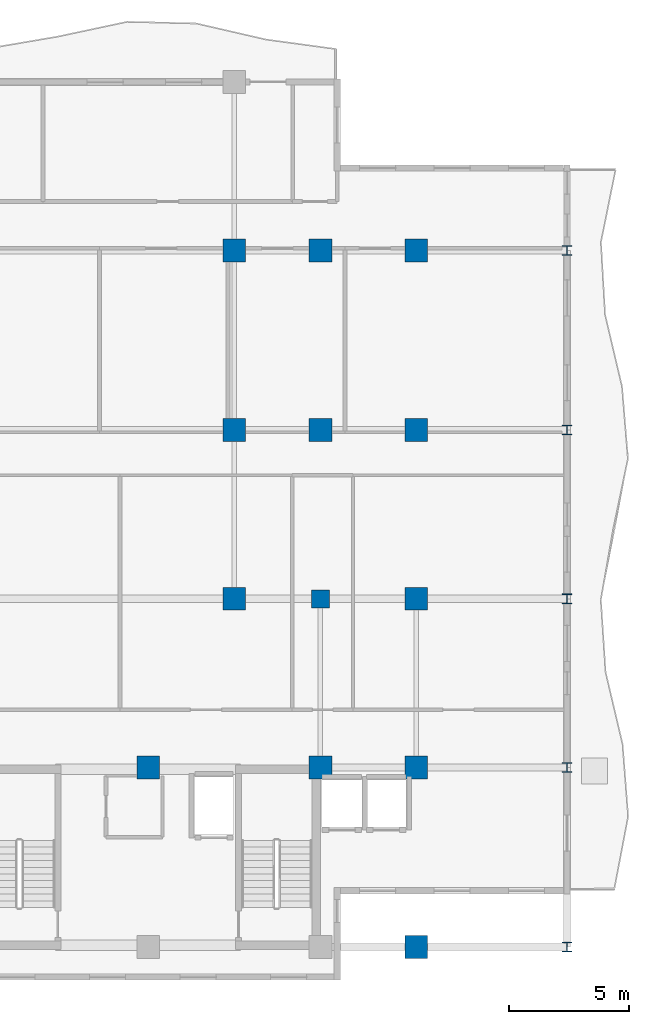
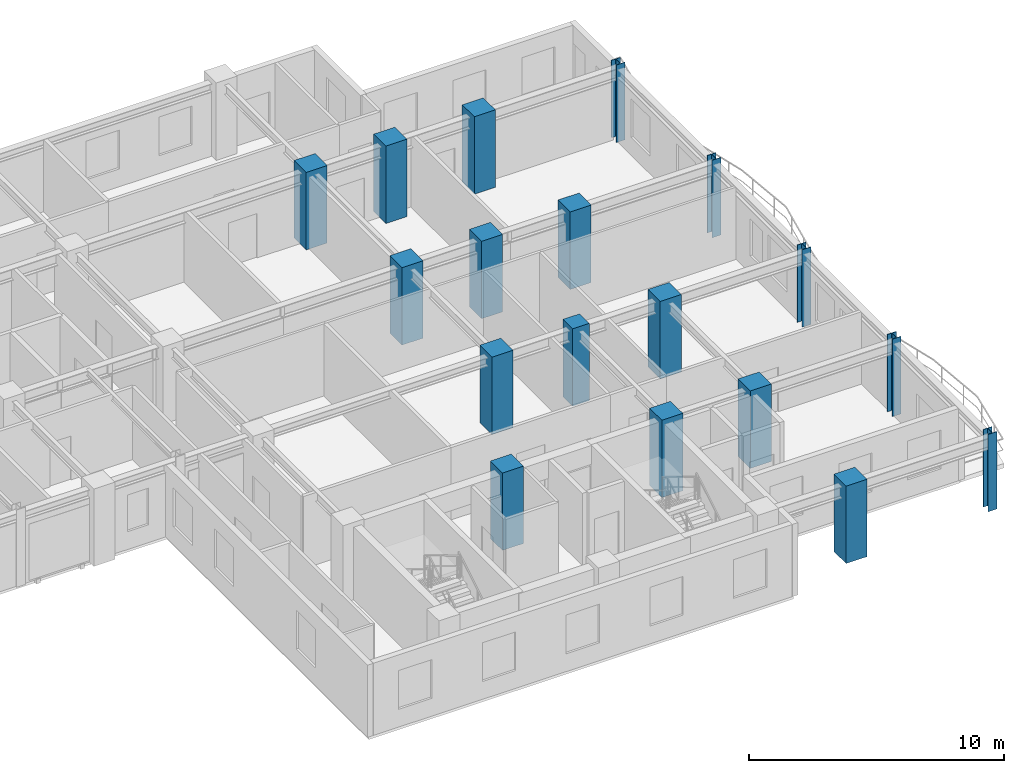
# One storey, part 2 of 14: 18 columns.
"""IFC4 building model written with IfcOpenShell, lengths in metres."""

import ifcopenshell
import ifcopenshell.guid

model = None  # the IFC model being written
_history = None  # IfcOwnerHistory: only IFC2X3 demands one
_inside = {}  # id of a spatial element -> (the spatial element, [elements in it])
_under = {}  # id of a project, library or spatial element -> (it, [spatial elements below it])
_declared = {}  # id of a project -> (the project, [libraries it declares])
_typed = {}  # id of a type object -> (the type object, [elements of that type])
_made_of = {}  # id of a material, layer set ... -> (it, [elements and type objects made of it])


def new_model(schema):
    """Start an empty IFC model of exactly this schema.

    Asked for "IFC4X3", IfcOpenShell would pick the latest addendum, in which some entities
    have other attributes; the version numbers below select the first issue.
    IFC2X3 requires an IfcOwnerHistory on every rooted entity: one is made here for all.
    """
    global model, _history
    if schema == "IFC4X3":
        model = ifcopenshell.file(schema_version=(4, 3, 0, 0))
    else:
        model = ifcopenshell.file(schema=schema)
    _inside.clear()
    _under.clear()
    _declared.clear()
    _typed.clear()
    _made_of.clear()
    _history = None
    if model.schema == "IFC2X3":
        org = make("IfcOrganization", Name="unknown")
        user = make(
            "IfcPersonAndOrganization",
            ThePerson=make("IfcPerson", FamilyName="unknown"),
            TheOrganization=org,
        )
        app = make(
            "IfcApplication",
            ApplicationDeveloper=org,
            Version="unknown",
            ApplicationFullName="unknown",
            ApplicationIdentifier="unknown",
        )
        _history = make(
            "IfcOwnerHistory",
            OwningUser=user,
            OwningApplication=app,
            ChangeAction="ADDED",
            CreationDate=0,
        )
    return model


def make(cls, **values):
    """One entity of the class cls with the attributes given. An attribute that is None is left unset."""
    return model.create_entity(
        cls, **{name: value for name, value in values.items() if value is not None}
    )


def rooted(cls, **values):
    """An entity with a GlobalId (a new one), such as an element, a storey or a relation."""
    return make(cls, GlobalId=ifcopenshell.guid.new(), OwnerHistory=_history, **values)


def si_unit(unit_type, name, prefix=None):
    """IfcSIUnit, for example si_unit("LENGTHUNIT", "METRE", prefix="MILLI")."""
    return make("IfcSIUnit", UnitType=unit_type, Prefix=prefix, Name=name)


def assignment(units):
    """IfcUnitAssignment: the units of a project."""
    return None if units is None else make("IfcUnitAssignment", Units=units)


def point(xyz):
    """IfcCartesianPoint."""
    return None if xyz is None else make("IfcCartesianPoint", Coordinates=xyz)


def direction(xyz):
    """IfcDirection."""
    return None if xyz is None else make("IfcDirection", DirectionRatios=xyz)


def frame(location, z_axis=None, x_axis=None):
    """IfcAxis2Placement3D, a coordinate frame: its origin and axes. An axis left out is left unset."""
    return make(
        "IfcAxis2Placement3D",
        Location=point(location),
        Axis=direction(z_axis),
        RefDirection=direction(x_axis),
    )


def frame_2d(location, x_axis=None):
    """IfcAxis2Placement2D, a coordinate frame in the plane: its origin and x axis."""
    return make(
        "IfcAxis2Placement2D", Location=point(location), RefDirection=direction(x_axis)
    )


def origin():
    """The frame at (0, 0, 0) with its axes left unset."""
    return frame((0.0, 0.0, 0.0))


def origin_2d():
    """The frame at (0, 0) in the plane with its x axis left unset."""
    return frame_2d((0.0, 0.0))


def place(relative_to, where):
    """IfcLocalPlacement: puts the frame where relative to a parent placement (None: the world)."""
    return make(
        "IfcLocalPlacement", PlacementRelTo=relative_to, RelativePlacement=where
    )


def context(
    kind, dimensions, precision=None, world=None, true_north=None, identifier=None
):
    """IfcGeometricRepresentationContext, for example the 3D "Model" context."""
    return make(
        "IfcGeometricRepresentationContext",
        ContextIdentifier=identifier,
        ContextType=kind,
        CoordinateSpaceDimension=dimensions,
        Precision=precision,
        WorldCoordinateSystem=world,
        TrueNorth=true_north,
    )


def subcontext(parent, identifier, kind, view, scale=None):
    """IfcGeometricRepresentationSubContext, for example "Body" below "Model"."""
    return make(
        "IfcGeometricRepresentationSubContext",
        ContextIdentifier=identifier,
        ContextType=kind,
        ParentContext=parent,
        TargetScale=scale,
        TargetView=view,
    )


def project(units=None, contexts=None):
    """IfcProject with its units and contexts."""
    return rooted(
        "IfcProject",
        Name="project",
        RepresentationContexts=contexts,
        UnitsInContext=assignment(units),
    )


def spatial(cls, under=None, at=None, **own):
    """A site, building, storey or space (cls), placed at a placement, below another one or the project."""
    s = rooted(cls, ObjectPlacement=at, **own)
    if under is not None:
        _under.setdefault(under.id(), (under, []))[1].append(s)
    return s


def profile(cls, at=None, kind="AREA", **sizes):
    """A parametric profile (cls). Its sizes go by their IFC names, for example OverallWidth=200.0."""
    return make(cls, ProfileType=kind, Position=at, **sizes)


def rectangle(**sizes):
    """IfcRectangleProfileDef."""
    return profile("IfcRectangleProfileDef", **sizes)


def i_section(**sizes):
    """IfcIShapeProfileDef."""
    return profile("IfcIShapeProfileDef", **sizes)


def extrude(swept, where, along, depth):
    """IfcExtrudedAreaSolid: the profile swept, set in the frame where, extruded along a direction by depth."""
    return make(
        "IfcExtrudedAreaSolid",
        SweptArea=swept,
        Position=where,
        ExtrudedDirection=direction(along),
        Depth=depth,
    )


def shape(context_of_items, identifier, shape_type, items):
    """IfcShapeRepresentation: the items that make up one representation, for example the "Body"."""
    return make(
        "IfcShapeRepresentation",
        ContextOfItems=context_of_items,
        RepresentationIdentifier=identifier,
        RepresentationType=shape_type,
        Items=items,
    )


def source(mapping_origin, context_of_items, identifier, shape_type, items):
    """IfcRepresentationMap: a shape defined once, which mapped items show again and again."""
    return make(
        "IfcRepresentationMap",
        MappingOrigin=mapping_origin,
        MappedRepresentation=shape(context_of_items, identifier, shape_type, items),
    )


def transform(
    local_origin,
    x_axis=None,
    y_axis=None,
    z_axis=None,
    scale=None,
    scale2=None,
    scale3=None,
    uniform=True,
):
    """IfcCartesianTransformationOperator3D, or its non-uniform kind. x_axis, y_axis, z_axis: its Axis1, 2, 3."""
    if uniform:
        return make(
            "IfcCartesianTransformationOperator3D",
            Axis1=direction(x_axis),
            Axis2=direction(y_axis),
            LocalOrigin=point(local_origin),
            Scale=scale,
            Axis3=direction(z_axis),
        )
    return make(
        "IfcCartesianTransformationOperator3DnonUniform",
        Axis1=direction(x_axis),
        Axis2=direction(y_axis),
        LocalOrigin=point(local_origin),
        Scale=scale,
        Axis3=direction(z_axis),
        Scale2=scale2,
        Scale3=scale3,
    )


def mapped(mapping_source, mapping_target):
    """IfcMappedItem: shows the shape of a source again, moved by a transform."""
    return make(
        "IfcMappedItem", MappingSource=mapping_source, MappingTarget=mapping_target
    )


def material(Name=None, Category=None):
    """IfcMaterial."""
    return make("IfcMaterial", Name=Name, Category=Category)


def material_profile(
    of_material, cross_section, Name=None, Category=None, Priority=None
):
    """IfcMaterialProfile: a cross section and its material."""
    return make(
        "IfcMaterialProfile",
        Name=Name,
        Material=of_material,
        Profile=cross_section,
        Priority=Priority,
        Category=Category,
    )


def profile_set(profiles, Name=None, composite=None):
    """IfcMaterialProfileSet."""
    return make(
        "IfcMaterialProfileSet",
        Name=Name,
        MaterialProfiles=profiles,
        CompositeProfile=composite,
    )


def made_of(thing, what):
    """Note that an element or type object is made of a material, layer set ...; save() writes the relation."""
    if what is not None:
        _made_of.setdefault(what.id(), (what, []))[1].append(thing)
    return thing


def type_object(cls, material=None, **own):
    """A type object (cls), such as IfcWallType, which elements share."""
    return made_of(rooted(cls, **own), material)


def element(
    cls,
    number,
    at=None,
    inside=None,
    cuts=None,
    type_object=None,
    material=None,
    context=None,
    identifier="Body",
    shape_type=None,
    held_by="IfcProductDefinitionShape",
    body=None,
    shapes=None,
    **own,
):
    """One element of the class cls, such as IfcWall. Its Tag is "e" and its number.

    at: its placement. inside: the storey or other place that contains it. cuts: it is an
    opening in that element (IfcRelVoidsElement). A single representation is given by context,
    identifier, shape_type and body (its items); several are given by shapes. held_by: the class
    of the entity that holds the representations. save() writes the other relations.
    """
    e = rooted(cls, Tag="e%d" % number, ObjectPlacement=at, **own)
    if body is not None:
        shapes = [shape(context, identifier, shape_type, body)]
    if shapes is not None:
        e.Representation = make(held_by, Representations=shapes)
    if inside is not None:
        _inside.setdefault(inside.id(), (inside, []))[1].append(e)
    if cuts is not None:
        rooted(
            "IfcRelVoidsElement", RelatingBuildingElement=cuts, RelatedOpeningElement=e
        )
    if type_object is not None:
        _typed.setdefault(type_object.id(), (type_object, []))[1].append(e)
    return made_of(e, material)


def aggregate(whole, parts):
    """IfcRelAggregates: a whole, such as a stair, and the parts it consists of."""
    return rooted("IfcRelAggregates", RelatingObject=whole, RelatedObjects=parts)


def save(model, path):
    """Write the relations noted so far, then the file.

    IfcRelAggregates (storeys below a building ...), IfcRelContainedInSpatialStructure (elements
    in a storey), IfcRelDefinesByType, IfcRelAssociatesMaterial and IfcRelDeclares: one each for
    every whole, place, type object, material and project.
    """
    for whole, parts in _under.values():
        aggregate(whole, parts)
    for where, things in _inside.values():
        rooted(
            "IfcRelContainedInSpatialStructure",
            RelatedElements=things,
            RelatingStructure=where,
        )
    for kind, things in _typed.values():
        rooted("IfcRelDefinesByType", RelatedObjects=things, RelatingType=kind)
    for what, things in _made_of.values():
        rooted("IfcRelAssociatesMaterial", RelatedObjects=things, RelatingMaterial=what)
    for by, libraries in _declared.values():
        rooted("IfcRelDeclares", RelatingContext=by, RelatedDefinitions=libraries)
    model.write(path)


model = new_model("IFC4")

# Units and contexts
model_context = context("Model", 3, precision=1e-05, world=origin(), true_north=direction((0.0, 1.0)))
body_context = subcontext(model_context, "Body", "Model", "MODEL_VIEW")
ifc_project = project(units=[si_unit("LENGTHUNIT", "METRE"), si_unit("AREAUNIT", "SQUARE_METRE"), si_unit("VOLUMEUNIT", "CUBIC_METRE"), si_unit("PLANEANGLEUNIT", "RADIAN"), si_unit("MASSUNIT", "GRAM", prefix="KILO")], contexts=[model_context])

# Site, building, storey
site_placement = place(None, origin())
site = spatial("IfcSite", under=ifc_project, at=site_placement, CompositionType="ELEMENT")
building_placement = place(site_placement, origin())
building = spatial("IfcBuilding", under=site, at=building_placement, Name="Kaliganga Portal Commons", CompositionType="ELEMENT")
storey_placement = place(building_placement, frame((0.0, 0.0, 227.699951171875)))
storey = spatial("IfcBuildingStorey", under=building, at=storey_placement, Name="L58", CompositionType="ELEMENT", Elevation=227.699951171875)

# Columns
ifc_material_1 = material(Name="Concrete C60/75", Category="concrete")
ifc_material_profile_1 = material_profile(ifc_material_1, rectangle(XDim=0.75, YDim=0.75, at=origin_2d()), Name="RC 750x750")
ifc_profile_set_1 = profile_set([ifc_material_profile_1], Name="Concrete C60/75")
column_type_1 = type_object("IfcColumnType", Name="COL-PILASTER-RC", PredefinedType="PILASTER", material=ifc_profile_set_1)
shared_shape_1 = source(origin(), body_context, "Body", "SweptSolid", [
    extrude(rectangle(XDim=0.75, YDim=0.75, at=origin_2d()), origin(), (0.0, 0.0, 1.0), 3.699951171875),
])
column_placement = place(storey_placement, frame((50.39990234375, 21.60009765625, 0.0), z_axis=(0.0, 0.0, 1.0), x_axis=(1.0, 0.0, 0.0)))
element("IfcColumn", 1, at=column_placement, inside=storey, type_object=column_type_1, Name="Column CP-01 L58", PredefinedType="PILASTER", context=body_context, shape_type="MappedRepresentation", body=[
    mapped(shared_shape_1, transform((0.0, 0.0, 0.0), x_axis=(1.0, 0.0, 0.0), y_axis=(0.0, 1.0, 0.0), z_axis=(0.0, 0.0, 1.0), scale=1.0)),
])
ifc_material_2 = material(Name="Concrete C50/60", Category="concrete")
ifc_material_profile_2 = material_profile(ifc_material_2, rectangle(XDim=0.949951171875, YDim=0.949951171875, at=origin_2d()), Name="RC 950x950")
ifc_profile_set_2 = profile_set([ifc_material_profile_2], Name="Concrete C50/60")
column_type_2 = type_object("IfcColumnType", Name="COL-MEGA-Z4", PredefinedType="COLUMN", material=ifc_profile_set_2)
shared_shape_2 = source(origin(), body_context, "Body", "SweptSolid", [
    extrude(rectangle(XDim=0.949951171875, YDim=0.949951171875, at=origin_2d()), origin(), (0.0, 0.0, 1.0), 3.699951171875),
])
for number, where, z_axis, x_axis, name in (
    (2, (46.800048828125, 21.60009765625, 0.0), (0.0, 0.0, 1.0), (1.0, 0.0, 0.0), "Column MC-05 L58"),
    (3, (46.800048828125, 28.64990234375, 0.0), (0.0, 0.0, 1.0), (1.0, 0.0, 0.0), "Column MC-05 L58"),
    (4, (46.800048828125, 36.14990234375, 0.0), (0.0, 0.0, 1.0), (1.0, 0.0, 0.0), "Column MC-05 L58"),
    (5, (43.199951171875, 14.550048828125, 0.0), (0.0, 0.0, 1.0), (1.0, 0.0, 0.0), "Column MC-05 L58"),
    (6, (50.39990234375, 14.550048828125, 0.0), (0.0, 0.0, 1.0), (1.0, 0.0, 0.0), "Column MC-05 L58"),
    (7, (50.39990234375, 28.64990234375, 0.0), (0.0, 0.0, 1.0), (1.0, 0.0, 0.0), "Column MC-05 L58"),
    (8, (50.39990234375, 36.14990234375, 0.0), (0.0, 0.0, 1.0), (1.0, 0.0, 0.0), "Column MC-05 L58"),
    (9, (54.39990234375, 7.050048828125, 0.0), (0.0, 0.0, 1.0), (1.0, 0.0, 0.0), "Column MC-05 L58"),
    (10, (54.39990234375, 14.550048828125, 0.0), (0.0, 0.0, 1.0), (1.0, 0.0, 0.0), "Column MC-05 L58"),
    (11, (54.39990234375, 21.60009765625, 0.0), (0.0, 0.0, 1.0), (1.0, 0.0, 0.0), "Column MC-05 L58"),
    (12, (54.39990234375, 28.64990234375, 0.0), (0.0, 0.0, 1.0), (1.0, 0.0, 0.0), "Column MC-05 L58"),
    (13, (54.39990234375, 36.14990234375, 0.0), (0.0, 0.0, 1.0), (1.0, 0.0, 0.0), "Column MC-05 L58"),
):
    element("IfcColumn", number, at=place(storey_placement, frame(where, z_axis=z_axis, x_axis=x_axis)), inside=storey, type_object=column_type_2, Name=name, PredefinedType="COLUMN", context=body_context, shape_type="MappedRepresentation", body=[
        mapped(shared_shape_2, transform((0.0, 0.0, 0.0), x_axis=(1.0, 0.0, 0.0), y_axis=(0.0, 1.0, 0.0), z_axis=(0.0, 0.0, 1.0), scale=1.0)),
    ])
ifc_material_3 = material(Name="Structural steel S355J2", Category="steel")
ifc_material_profile_3 = material_profile(ifc_material_3, i_section(OverallWidth=0.39892578125, OverallDepth=0.39990234375, WebThickness=0.017333984375, FlangeThickness=0.0234375, FilletRadius=0.014892578125, at=origin_2d()), Name="HD 400x287")
ifc_profile_set_3 = profile_set([ifc_material_profile_3], Name="Structural steel S355J2 wide-flange")
column_type_3 = type_object("IfcColumnType", Name="COL-TUBE-B4", PredefinedType="COLUMN", material=ifc_profile_set_3)
shared_shape_3 = source(origin(), body_context, "Body", "SweptSolid", [
    extrude(i_section(OverallWidth=0.39892578125, OverallDepth=0.39990234375, WebThickness=0.017333984375, FlangeThickness=0.0234375, FilletRadius=0.014892578125, at=origin_2d()), origin(), (0.0, 0.0, 1.0), 3.699951171875),
])
for number, where, z_axis, x_axis, name in (
    (14, (60.699951171875, 7.050048828125, 0.0), (0.0, 0.0, 1.0), (1.0, 0.0, 0.0), "Column TC-04 L58"),
    (15, (60.699951171875, 14.550048828125, 0.0), (0.0, 0.0, 1.0), (1.0, 0.0, 0.0), "Column TC-04 L58"),
    (16, (60.699951171875, 21.60009765625, 0.0), (0.0, 0.0, 1.0), (1.0, 0.0, 0.0), "Column TC-04 L58"),
    (17, (60.699951171875, 28.64990234375, 0.0), (0.0, 0.0, 1.0), (1.0, 0.0, 0.0), "Column TC-04 L58"),
    (18, (60.699951171875, 36.14990234375, 0.0), (0.0, 0.0, 1.0), (1.0, 0.0, 0.0), "Column TC-04 L58"),
):
    element("IfcColumn", number, at=place(storey_placement, frame(where, z_axis=z_axis, x_axis=x_axis)), inside=storey, type_object=column_type_3, Name=name, PredefinedType="COLUMN", context=body_context, shape_type="MappedRepresentation", body=[
        mapped(shared_shape_3, transform((0.0, 0.0, 0.0), x_axis=(1.0, 0.0, 0.0), y_axis=(0.0, 1.0, 0.0), z_axis=(0.0, 0.0, 1.0), scale=1.0)),
    ])

save(model, "model.ifc")
